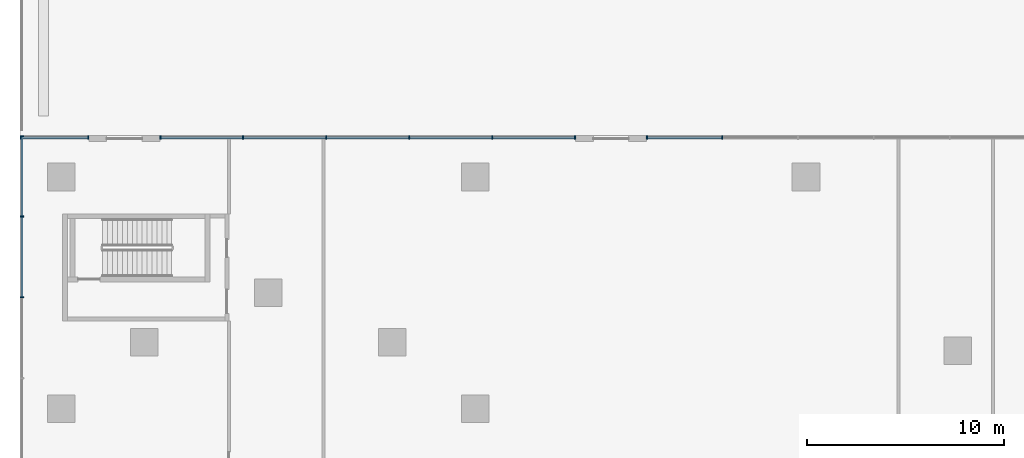
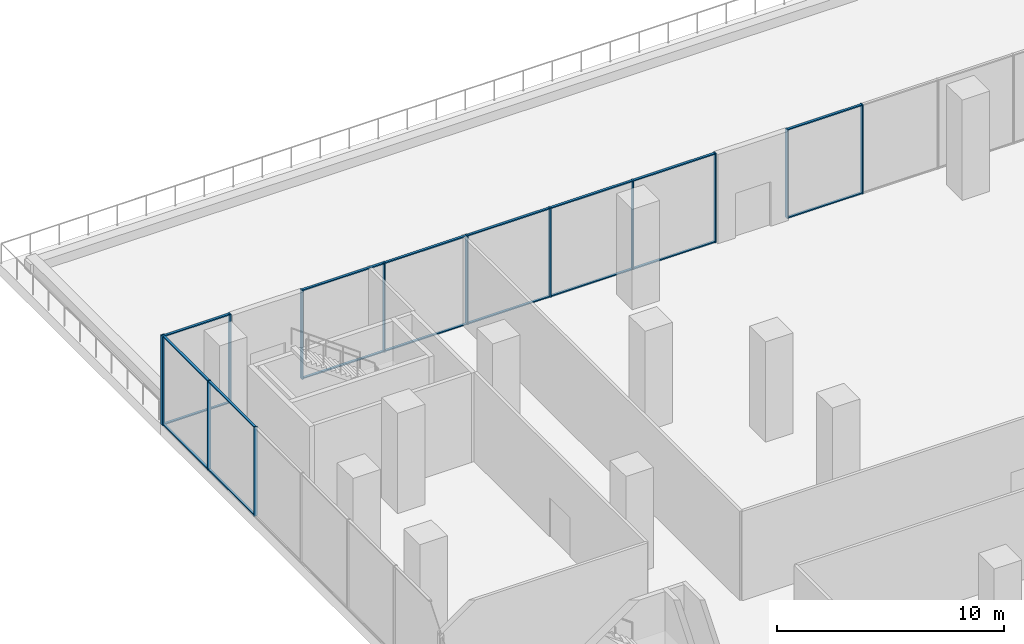
# One storey, part 10 of 24: 31 members, 4 elements without a shape of their own.
"""IFC4 building model written with IfcOpenShell, lengths in metres."""

from ifc_helpers import new_model, si_unit, direction, frame, origin, origin_2d, place, context, subcontext, project, spatial, rectangle, extrude, source, transform, mapped, material, layer, layer_set, material_profile, profile_set, type_object, element, aggregate, save


model = new_model("IFC4")

# Units and contexts
model_context = context("Model", 3, precision=1e-05, world=origin(), true_north=direction((0.0, 1.0)))
body_context = subcontext(model_context, "Body", "Model", "MODEL_VIEW")
ifc_project = project(units=[si_unit("LENGTHUNIT", "METRE"), si_unit("AREAUNIT", "SQUARE_METRE"), si_unit("VOLUMEUNIT", "CUBIC_METRE"), si_unit("PLANEANGLEUNIT", "RADIAN"), si_unit("MASSUNIT", "GRAM", prefix="KILO")], contexts=[model_context])

# Site, building, storey
site_placement = place(None, origin())
site = spatial("IfcSite", under=ifc_project, at=site_placement, CompositionType="ELEMENT")
building_placement = place(site_placement, origin())
building = spatial("IfcBuilding", under=site, at=building_placement, Name="Aurelian Terraces", CompositionType="ELEMENT")
storey_placement = place(building_placement, frame((0.0, 0.0, 12.9)))
storey = spatial("IfcBuildingStorey", under=building, at=storey_placement, Name="L02", CompositionType="ELEMENT", Elevation=12.9)

# Curtain wall, members
ifc_material_1 = material(Name="Anodised aluminium and clear glazing", Category="aluminium")
ifc_layer = layer(ifc_material_1, 0.2)
ifc_layer_set = layer_set([ifc_layer], Name="Winter garden glazing curtain wall")
curtain_wall_type = type_object("IfcCurtainWallType", Name="Winter garden glazing curtain wall", PredefinedType="NOTDEFINED", material=ifc_layer_set)
curtain_wall_1_placement = place(storey_placement, origin())
curtain_wall_1 = element("IfcCurtainWall", 1, at=curtain_wall_1_placement, inside=storey, type_object=curtain_wall_type, Name="Winter garden glazing L02 F05.5", PredefinedType="NOTDEFINED")
ifc_material_2 = material(Name="Anodised aluminium", Category="aluminium")
ifc_material_profile_1 = material_profile(ifc_material_2, rectangle(XDim=0.12, YDim=0.06, at=origin_2d()))
ifc_profile_set_1 = profile_set([ifc_material_profile_1], Name="Anodised aluminium")
member_type_1 = type_object("IfcMemberType", Name="Winter garden glazing transom", PredefinedType="USERDEFINED", material=ifc_profile_set_1)
member_1_placement = place(storey_placement, frame((26.04, 71.72, 0.03), z_axis=(-1.0, 0.0, 0.0), x_axis=(0.0, -1.0, 0.0)))
member_1 = element("IfcMember", 2, at=member_1_placement, type_object=member_type_1, Name="CW6 transom 1.1", ObjectType="TRANSOM", PredefinedType="USERDEFINED", context=body_context, shape_type="SweptSolid", body=[
    extrude(rectangle(XDim=0.12, YDim=0.06, at=origin_2d()), origin(), (0.0, 0.0, 1.0), 4.13),
])
member_2_placement = place(storey_placement, frame((21.85, 71.72, 0.03), z_axis=(-1.0, 0.0, 0.0), x_axis=(0.0, -1.0, 0.0)))
member_2 = element("IfcMember", 3, at=member_2_placement, type_object=member_type_1, Name="CW6 transom 2.1", ObjectType="TRANSOM", PredefinedType="USERDEFINED", context=body_context, shape_type="SweptSolid", body=[
    extrude(rectangle(XDim=0.12, YDim=0.06, at=origin_2d()), origin(), (0.0, 0.0, 1.0), 4.16),
])

# Curtain wall, member
curtain_wall_2_placement = place(storey_placement, origin())
curtain_wall_2 = element("IfcCurtainWall", 4, at=curtain_wall_2_placement, inside=storey, type_object=curtain_wall_type, Name="Winter garden glazing L02 F05.7", PredefinedType="NOTDEFINED")
member_3_placement = place(storey_placement, frame((1.34, 71.72, 0.03), z_axis=(-1.0, 0.0, 0.0), x_axis=(0.0, -1.0, 0.0)))
member_3 = element("IfcMember", 5, at=member_3_placement, type_object=member_type_1, Name="CW6 transom 1.1", ObjectType="TRANSOM", PredefinedType="USERDEFINED", context=body_context, shape_type="SweptSolid", body=[
    extrude(rectangle(XDim=0.12, YDim=0.06, at=origin_2d()), origin(), (0.0, 0.0, 1.0), 3.38),
])

# Curtain wall, members
curtain_wall_3_placement = place(storey_placement, origin())
curtain_wall_3 = element("IfcCurtainWall", 6, at=curtain_wall_3_placement, inside=storey, type_object=curtain_wall_type, Name="Winter garden glazing L02 F06.1", PredefinedType="NOTDEFINED")
member_4_placement = place(storey_placement, frame((-2.0, 71.76, 0.03), z_axis=(0.0, -1.0, 0.0), x_axis=(1.0, 0.0, 0.0)))
member_4 = element("IfcMember", 7, at=member_4_placement, type_object=member_type_1, Name="CW6 transom 1.1", ObjectType="TRANSOM", PredefinedType="USERDEFINED", context=body_context, shape_type="SweptSolid", body=[
    extrude(rectangle(XDim=0.12, YDim=0.06, at=origin_2d()), origin(), (0.0, 0.0, 1.0), 4.0167),
])
member_5_placement = place(storey_placement, frame((-2.0, 67.6833, 0.03), z_axis=(0.0, -1.0, 0.0), x_axis=(1.0, 0.0, 0.0)))
member_5 = element("IfcMember", 8, at=member_5_placement, type_object=member_type_1, Name="CW6 transom 2.1", ObjectType="TRANSOM", PredefinedType="USERDEFINED", context=body_context, shape_type="SweptSolid", body=[
    extrude(rectangle(XDim=0.12, YDim=0.06, at=origin_2d()), origin(), (0.0, 0.0, 1.0), 4.0466),
])

curtain_wall_4_placement = place(storey_placement, origin())
curtain_wall_4 = element("IfcCurtainWall", 9, at=curtain_wall_4_placement, inside=storey, type_object=curtain_wall_type, Name="Winter garden glazing L02 F05.3", PredefinedType="NOTDEFINED")
ifc_material_profile_2 = material_profile(ifc_material_2, rectangle(XDim=0.18, YDim=0.06, at=origin_2d()))
ifc_profile_set_2 = profile_set([ifc_material_profile_2], Name="Anodised aluminium")
member_type_2 = type_object("IfcMemberType", Name="Winter garden glazing mullion", PredefinedType="MULLION", material=ifc_profile_set_2)
shared_shape_1 = source(origin(), body_context, "Body", "SweptSolid", [
    extrude(rectangle(XDim=0.18, YDim=0.06, at=origin_2d()), origin(), (0.0, 0.0, 1.0), 4.8),
])
member_6_placement = place(storey_placement, frame((33.548, 71.72, 0.0), z_axis=(0.0, 0.0, 1.0), x_axis=(0.0, -1.0, 0.0)))
member_6 = element("IfcMember", 10, at=member_6_placement, type_object=member_type_2, Name="CW6 mullion 5", PredefinedType="MULLION", context=body_context, shape_type="MappedRepresentation", body=[
    mapped(shared_shape_1, transform((0.0, 0.0, 0.0), scale=1.0)),
])
member_7_placement = place(storey_placement, frame((29.73, 71.72, 0.0), z_axis=(0.0, 0.0, 1.0), x_axis=(0.0, -1.0, 0.0)))
member_7 = element("IfcMember", 11, at=member_7_placement, type_object=member_type_2, Name="CW6 mullion 6", PredefinedType="MULLION", context=body_context, shape_type="MappedRepresentation", body=[
    mapped(shared_shape_1, transform((0.0, 0.0, 0.0), scale=1.0)),
])

# Member
member_8_placement = place(storey_placement, frame((26.07, 71.72, 0.0), z_axis=(0.0, 0.0, 1.0), x_axis=(0.0, -1.0, 0.0)))
member_8 = element("IfcMember", 12, at=member_8_placement, type_object=member_type_2, Name="CW6 mullion 1", PredefinedType="MULLION", context=body_context, shape_type="MappedRepresentation", body=[
    mapped(shared_shape_1, transform((0.0, 0.0, 0.0), scale=1.0)),
])

member_9_placement = place(storey_placement, frame((21.88, 71.72, 0.0), z_axis=(0.0, 0.0, 1.0), x_axis=(0.0, -1.0, 0.0)))
member_9 = element("IfcMember", 13, at=member_9_placement, type_object=member_type_2, Name="CW6 mullion 2", PredefinedType="MULLION", context=body_context, shape_type="MappedRepresentation", body=[
    mapped(shared_shape_1, transform((0.0, 0.0, 0.0), scale=1.0)),
])

member_10_placement = place(storey_placement, frame((17.66, 71.72, 0.0), z_axis=(0.0, 0.0, 1.0), x_axis=(0.0, -1.0, 0.0)))
member_10 = element("IfcMember", 14, at=member_10_placement, type_object=member_type_2, Name="CW6 mullion 3", PredefinedType="MULLION", context=body_context, shape_type="MappedRepresentation", body=[
    mapped(shared_shape_1, transform((0.0, 0.0, 0.0), scale=1.0)),
])

member_11_placement = place(storey_placement, frame((13.44, 71.72, 0.0), z_axis=(0.0, 0.0, 1.0), x_axis=(0.0, -1.0, 0.0)))
member_11 = element("IfcMember", 15, at=member_11_placement, type_object=member_type_2, Name="CW6 mullion 4", PredefinedType="MULLION", context=body_context, shape_type="MappedRepresentation", body=[
    mapped(shared_shape_1, transform((0.0, 0.0, 0.0), scale=1.0)),
])

member_12_placement = place(storey_placement, frame((9.22, 71.72, 0.0), z_axis=(0.0, 0.0, 1.0), x_axis=(0.0, -1.0, 0.0)))
member_12 = element("IfcMember", 16, at=member_12_placement, type_object=member_type_2, Name="CW6 mullion 5", PredefinedType="MULLION", context=body_context, shape_type="MappedRepresentation", body=[
    mapped(shared_shape_1, transform((0.0, 0.0, 0.0), scale=1.0)),
])

member_13_placement = place(storey_placement, frame((5.03, 71.72, 0.0), z_axis=(0.0, 0.0, 1.0), x_axis=(0.0, -1.0, 0.0)))
member_13 = element("IfcMember", 17, at=member_13_placement, type_object=member_type_2, Name="CW6 mullion 6", PredefinedType="MULLION", context=body_context, shape_type="MappedRepresentation", body=[
    mapped(shared_shape_1, transform((0.0, 0.0, 0.0), scale=1.0)),
])

member_14_placement = place(storey_placement, frame((1.37, 71.72, 0.0), z_axis=(0.0, 0.0, 1.0), x_axis=(0.0, -1.0, 0.0)))
member_14 = element("IfcMember", 18, at=member_14_placement, type_object=member_type_2, Name="CW6 mullion 1", PredefinedType="MULLION", context=body_context, shape_type="MappedRepresentation", body=[
    mapped(shared_shape_1, transform((0.0, 0.0, 0.0), scale=1.0)),
])

member_15_placement = place(storey_placement, frame((-2.07, 71.72, 0.0), z_axis=(0.0, 0.0, 1.0), x_axis=(0.0, -1.0, 0.0)))
member_15 = element("IfcMember", 19, at=member_15_placement, type_object=member_type_2, Name="CW6 mullion 2", PredefinedType="MULLION", context=body_context, shape_type="MappedRepresentation", body=[
    mapped(shared_shape_1, transform((0.0, 0.0, 0.0), scale=1.0)),
])

member_16_placement = place(storey_placement, frame((-2.0, 71.79, 0.0), z_axis=(0.0, 0.0, 1.0), x_axis=(1.0, 0.0, 0.0)))
member_16 = element("IfcMember", 20, at=member_16_placement, type_object=member_type_2, Name="CW6 mullion 1", PredefinedType="MULLION", context=body_context, shape_type="MappedRepresentation", body=[
    mapped(shared_shape_1, transform((0.0, 0.0, 0.0), scale=1.0)),
])

member_17_placement = place(storey_placement, frame((-2.0, 67.7133, 0.0), z_axis=(0.0, 0.0, 1.0), x_axis=(1.0, 0.0, 0.0)))
member_17 = element("IfcMember", 21, at=member_17_placement, type_object=member_type_2, Name="CW6 mullion 2", PredefinedType="MULLION", context=body_context, shape_type="MappedRepresentation", body=[
    mapped(shared_shape_1, transform((0.0, 0.0, 0.0), scale=1.0)),
])

member_18_placement = place(storey_placement, frame((-2.0, 63.6067, 0.0), z_axis=(0.0, 0.0, 1.0), x_axis=(1.0, 0.0, 0.0)))
member_18 = element("IfcMember", 22, at=member_18_placement, type_object=member_type_2, Name="CW6 mullion 3", PredefinedType="MULLION", context=body_context, shape_type="MappedRepresentation", body=[
    mapped(shared_shape_1, transform((0.0, 0.0, 0.0), scale=1.0)),
])

shared_shape_2 = source(origin(), body_context, "Body", "SweptSolid", [
    extrude(rectangle(XDim=0.12, YDim=0.06, at=origin_2d()), origin(), (0.0, 0.0, 1.0), 3.758),
])
member_19_placement = place(storey_placement, frame((33.518, 71.72, 0.03), z_axis=(-1.0, 0.0, 0.0), x_axis=(0.0, -1.0, 0.0)))
member_19 = element("IfcMember", 23, at=member_19_placement, type_object=member_type_1, Name="CW6 transom 5.1", ObjectType="TRANSOM", PredefinedType="USERDEFINED", context=body_context, shape_type="MappedRepresentation", body=[
    mapped(shared_shape_2, transform((0.0, 0.0, 0.0), scale=1.0)),
])

member_20_placement = place(storey_placement, frame((33.518, 71.72, 4.77), z_axis=(-1.0, 0.0, 0.0), x_axis=(0.0, -1.0, 0.0)))
member_20 = element("IfcMember", 24, at=member_20_placement, type_object=member_type_1, Name="CW6 transom 5.2", ObjectType="TRANSOM", PredefinedType="USERDEFINED", context=body_context, shape_type="MappedRepresentation", body=[
    mapped(shared_shape_2, transform((0.0, 0.0, 0.0), scale=1.0)),
])

aggregate(curtain_wall_4, [member_6, member_7, member_19, member_20])

shared_shape_3 = source(origin(), body_context, "Body", "SweptSolid", [
    extrude(rectangle(XDim=0.12, YDim=0.06, at=origin_2d()), origin(), (0.0, 0.0, 1.0), 4.13),
])
member_21_placement = place(storey_placement, frame((26.04, 71.72, 4.77), z_axis=(-1.0, 0.0, 0.0), x_axis=(0.0, -1.0, 0.0)))
member_21 = element("IfcMember", 25, at=member_21_placement, type_object=member_type_1, Name="CW6 transom 1.2", ObjectType="TRANSOM", PredefinedType="USERDEFINED", context=body_context, shape_type="MappedRepresentation", body=[
    mapped(shared_shape_3, transform((0.0, 0.0, 0.0), scale=1.0)),
])

member_22_placement = place(storey_placement, frame((9.19, 71.72, 0.03), z_axis=(-1.0, 0.0, 0.0), x_axis=(0.0, -1.0, 0.0)))
member_22 = element("IfcMember", 26, at=member_22_placement, type_object=member_type_1, Name="CW6 transom 5.1", ObjectType="TRANSOM", PredefinedType="USERDEFINED", context=body_context, shape_type="MappedRepresentation", body=[
    mapped(shared_shape_3, transform((0.0, 0.0, 0.0), scale=1.0)),
])

member_23_placement = place(storey_placement, frame((9.19, 71.72, 4.77), z_axis=(-1.0, 0.0, 0.0), x_axis=(0.0, -1.0, 0.0)))
member_23 = element("IfcMember", 27, at=member_23_placement, type_object=member_type_1, Name="CW6 transom 5.2", ObjectType="TRANSOM", PredefinedType="USERDEFINED", context=body_context, shape_type="MappedRepresentation", body=[
    mapped(shared_shape_3, transform((0.0, 0.0, 0.0), scale=1.0)),
])

shared_shape_4 = source(origin(), body_context, "Body", "SweptSolid", [
    extrude(rectangle(XDim=0.12, YDim=0.06, at=origin_2d()), origin(), (0.0, 0.0, 1.0), 4.16),
])
member_24_placement = place(storey_placement, frame((21.85, 71.72, 4.77), z_axis=(-1.0, 0.0, 0.0), x_axis=(0.0, -1.0, 0.0)))
member_24 = element("IfcMember", 28, at=member_24_placement, type_object=member_type_1, Name="CW6 transom 2.2", ObjectType="TRANSOM", PredefinedType="USERDEFINED", context=body_context, shape_type="MappedRepresentation", body=[
    mapped(shared_shape_4, transform((0.0, 0.0, 0.0), scale=1.0)),
])

member_25_placement = place(storey_placement, frame((17.63, 71.72, 0.03), z_axis=(-1.0, 0.0, 0.0), x_axis=(0.0, -1.0, 0.0)))
member_25 = element("IfcMember", 29, at=member_25_placement, type_object=member_type_1, Name="CW6 transom 3.1", ObjectType="TRANSOM", PredefinedType="USERDEFINED", context=body_context, shape_type="MappedRepresentation", body=[
    mapped(shared_shape_4, transform((0.0, 0.0, 0.0), scale=1.0)),
])

member_26_placement = place(storey_placement, frame((17.63, 71.72, 4.77), z_axis=(-1.0, 0.0, 0.0), x_axis=(0.0, -1.0, 0.0)))
member_26 = element("IfcMember", 30, at=member_26_placement, type_object=member_type_1, Name="CW6 transom 3.2", ObjectType="TRANSOM", PredefinedType="USERDEFINED", context=body_context, shape_type="MappedRepresentation", body=[
    mapped(shared_shape_4, transform((0.0, 0.0, 0.0), scale=1.0)),
])

member_27_placement = place(storey_placement, frame((13.41, 71.72, 0.03), z_axis=(-1.0, 0.0, 0.0), x_axis=(0.0, -1.0, 0.0)))
member_27 = element("IfcMember", 31, at=member_27_placement, type_object=member_type_1, Name="CW6 transom 4.1", ObjectType="TRANSOM", PredefinedType="USERDEFINED", context=body_context, shape_type="MappedRepresentation", body=[
    mapped(shared_shape_4, transform((0.0, 0.0, 0.0), scale=1.0)),
])

member_28_placement = place(storey_placement, frame((13.41, 71.72, 4.77), z_axis=(-1.0, 0.0, 0.0), x_axis=(0.0, -1.0, 0.0)))
member_28 = element("IfcMember", 32, at=member_28_placement, type_object=member_type_1, Name="CW6 transom 4.2", ObjectType="TRANSOM", PredefinedType="USERDEFINED", context=body_context, shape_type="MappedRepresentation", body=[
    mapped(shared_shape_4, transform((0.0, 0.0, 0.0), scale=1.0)),
])

aggregate(curtain_wall_1, [member_8, member_9, member_10, member_11, member_12, member_13, member_1, member_21, member_2, member_24, member_25, member_26, member_27, member_28, member_22, member_23])

shared_shape_5 = source(origin(), body_context, "Body", "SweptSolid", [
    extrude(rectangle(XDim=0.12, YDim=0.06, at=origin_2d()), origin(), (0.0, 0.0, 1.0), 3.38),
])
member_29_placement = place(storey_placement, frame((1.34, 71.72, 4.77), z_axis=(-1.0, 0.0, 0.0), x_axis=(0.0, -1.0, 0.0)))
member_29 = element("IfcMember", 33, at=member_29_placement, type_object=member_type_1, Name="CW6 transom 1.2", ObjectType="TRANSOM", PredefinedType="USERDEFINED", context=body_context, shape_type="MappedRepresentation", body=[
    mapped(shared_shape_5, transform((0.0, 0.0, 0.0), scale=1.0)),
])

aggregate(curtain_wall_2, [member_14, member_15, member_3, member_29])

shared_shape_6 = source(origin(), body_context, "Body", "SweptSolid", [
    extrude(rectangle(XDim=0.12, YDim=0.06, at=origin_2d()), origin(), (0.0, 0.0, 1.0), 4.0167),
])
member_30_placement = place(storey_placement, frame((-2.0, 71.76, 4.77), z_axis=(0.0, -1.0, 0.0), x_axis=(1.0, 0.0, 0.0)))
member_30 = element("IfcMember", 34, at=member_30_placement, type_object=member_type_1, Name="CW6 transom 1.2", ObjectType="TRANSOM", PredefinedType="USERDEFINED", context=body_context, shape_type="MappedRepresentation", body=[
    mapped(shared_shape_6, transform((0.0, 0.0, 0.0), scale=1.0)),
])

shared_shape_7 = source(origin(), body_context, "Body", "SweptSolid", [
    extrude(rectangle(XDim=0.12, YDim=0.06, at=origin_2d()), origin(), (0.0, 0.0, 1.0), 4.0466),
])
member_31_placement = place(storey_placement, frame((-2.0, 67.6833, 4.77), z_axis=(0.0, -1.0, 0.0), x_axis=(1.0, 0.0, 0.0)))
member_31 = element("IfcMember", 35, at=member_31_placement, type_object=member_type_1, Name="CW6 transom 2.2", ObjectType="TRANSOM", PredefinedType="USERDEFINED", context=body_context, shape_type="MappedRepresentation", body=[
    mapped(shared_shape_7, transform((0.0, 0.0, 0.0), scale=1.0)),
])

aggregate(curtain_wall_3, [member_16, member_17, member_18, member_4, member_30, member_5, member_31])

save(model, "model.ifc")
